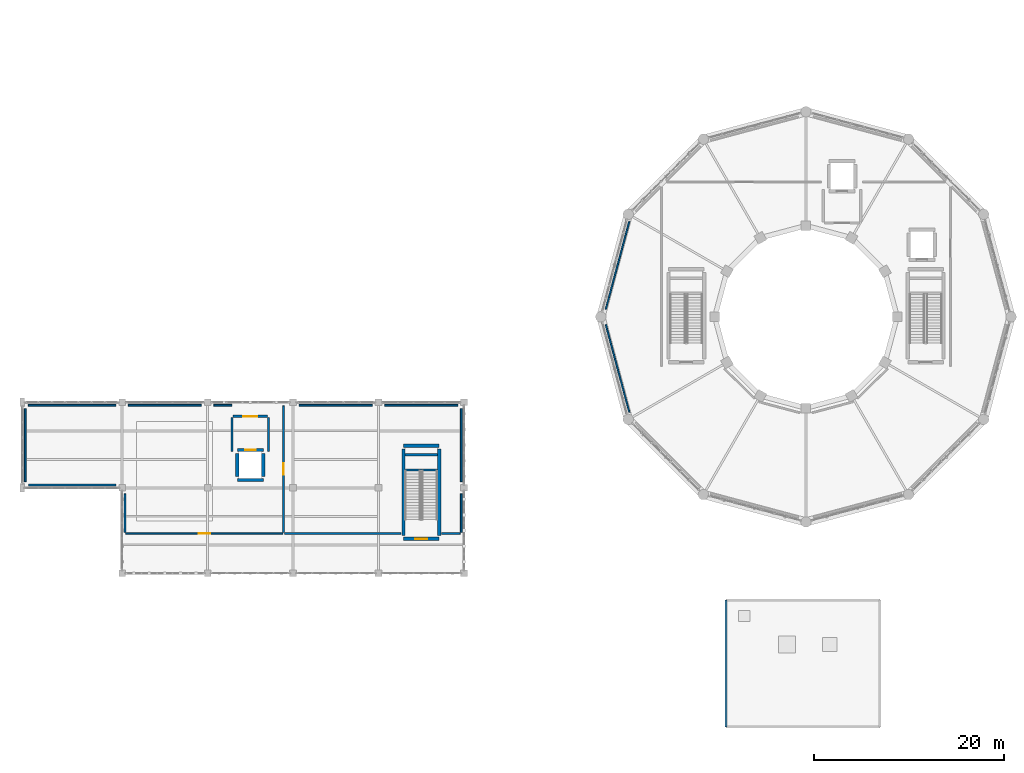
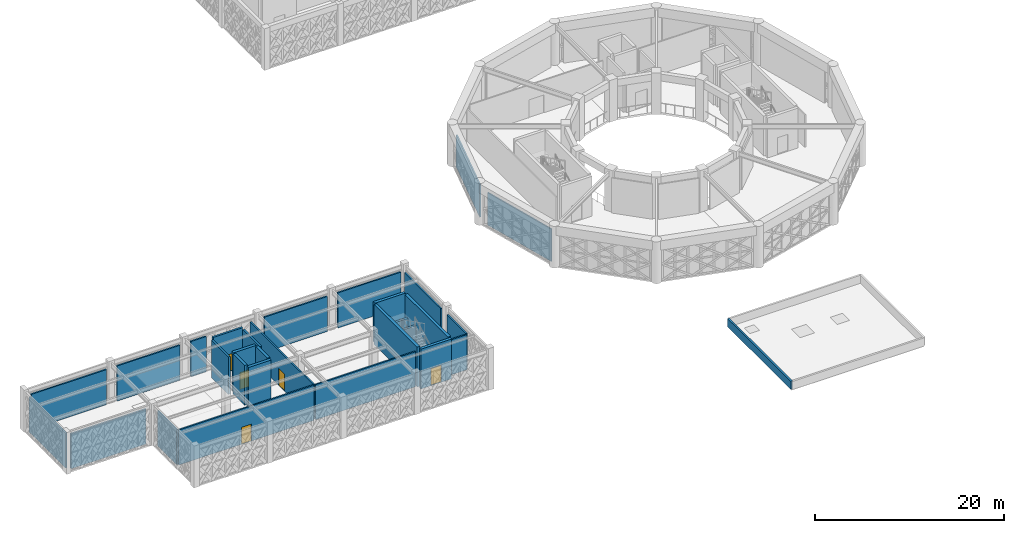
# One storey, part 64 of 72: 30 walls, 5 doors, 5 openings.
"""IFC4 building model written with IfcOpenShell, lengths in metres."""

from ifc_helpers import new_model, si_unit, direction, frame, frame_2d, origin, place, context, subcontext, project, spatial, rectangle, extrude, material, layer, layer_set, type_object, element, fill, save


model = new_model("IFC4")

# Units and contexts
model_context = context("Model", 3, precision=1e-05, world=origin(), true_north=direction((0.0, 1.0)))
body_context = subcontext(model_context, "Body", "Model", "MODEL_VIEW")
ifc_project = project(units=[si_unit("LENGTHUNIT", "METRE"), si_unit("AREAUNIT", "SQUARE_METRE"), si_unit("VOLUMEUNIT", "CUBIC_METRE"), si_unit("PLANEANGLEUNIT", "RADIAN"), si_unit("MASSUNIT", "GRAM", prefix="KILO")], contexts=[model_context])

# Site, building, storey
site_placement = place(None, origin())
site = spatial("IfcSite", under=ifc_project, at=site_placement, CompositionType="ELEMENT")
building_placement = place(site_placement, origin())
building = spatial("IfcBuilding", under=site, at=building_placement, Name="Haizhuo Lancet Aquarium", CompositionType="ELEMENT")
storey_placement = place(building_placement, frame((0.0, 0.0, 21.60009765625)))
storey = spatial("IfcBuildingStorey", under=building, at=storey_placement, Name="L04", CompositionType="ELEMENT", Elevation=21.60009765625)

# Wall
ifc_material_1 = material(Name="Shandong Grey Limestone Ashlar", Category="masonry")
ifc_layer_1 = layer(ifc_material_1, 0.219970703125)
ifc_layer_set_1 = layer_set([ifc_layer_1], Name="Shandong Grey Limestone Ashlar")
wall_type_1 = type_object("IfcWallType", Name="EWL-PAR-220", PredefinedType="PARAPET", material=ifc_layer_set_1)
wall_1_placement = place(storey_placement, frame((-8.39990234375, -43.199951171875, 0.0), z_axis=(0.0, 0.0, 1.0), x_axis=(0.0, 1.0, 0.0)))
element("IfcWall", 1, at=wall_1_placement, inside=storey, type_object=wall_type_1, Name="L04 V4 penthouse roof parapet 4", PredefinedType="PARAPET", context=body_context, shape_type="SweptSolid", body=[
    extrude(rectangle(XDim=13.39990234375, YDim=0.219970703125, at=frame_2d((6.699951171875, 0.0))), origin(), (0.0, 0.0, 1.0), 1.0498046875),
])

# Wall, opening, door
ifc_material_2 = material(Name="Concrete C40/50", Category="concrete")
ifc_layer_2 = layer(ifc_material_2, 0.239990234375)
ifc_layer_set_2 = layer_set([ifc_layer_2], Name="Concrete C40/50")
wall_type_2 = type_object("IfcWallType", Name="IWL-FIRE-240", PredefinedType="PARTITIONING", material=ifc_layer_set_2)
wall_2_placement = place(storey_placement, frame((-56.699951171875, -10.47998046875, 0.0), z_axis=(0.0, 0.0, 1.0), x_axis=(-1.0, 0.0, 0.0)))
wall_2 = element("IfcWall", 2, at=wall_2_placement, inside=storey, type_object=wall_type_2, Name="L04 LF-03 firefighting lift lobby firewall N", PredefinedType="PARTITIONING", context=body_context, shape_type="SweptSolid", body=[
    extrude(rectangle(XDim=3.60009765625, YDim=0.239990234375, at=frame_2d((1.800048828125, 0.0))), origin(), (0.0, 0.0, 1.0), 5.099853515625),
])
opening_1_placement = place(wall_2_placement, frame((1.050048828125, 0.0, 0.0)))
opening_1 = element("IfcOpeningElement", 3, at=opening_1_placement, cuts=wall_2, Name="Opening FD-03", PredefinedType="OPENING", context=body_context, shape_type="SweptSolid", body=[
    extrude(rectangle(XDim=1.5, YDim=2.199951171875, at=frame_2d((0.75, 1.10009765625))), frame((0.0, 0.1298828125, 0.0), z_axis=(0.0, -1.0, 0.0), x_axis=(1.0, 0.0, 0.0)), (0.0, 0.0, 1.0), 0.25999),
])
ifc_material_3 = material(Name="Steel S355", Category="steel")
door_type_1 = type_object("IfcDoorType", Name="IDR-FFL-1500x2200", OperationType="NOTDEFINED", PredefinedType="DOOR", material=ifc_material_3)
door_1_placement = place(opening_1_placement, origin())
door_1 = element("IfcDoor", 4, at=door_1_placement, inside=storey, type_object=door_type_1, Name="L04 LF-03 firefighting lift lobby door", OperationType="SINGLE_SWING_RIGHT", OverallHeight=2.199951171875, OverallWidth=1.5, PredefinedType="DOOR", context=body_context, shape_type="SweptSolid", body=[
    extrude(rectangle(XDim=1.5, YDim=2.199951171875, at=frame_2d((0.75, 1.10009765625))), frame((0.0, 0.02490234375, 0.0), z_axis=(0.0, -1.0, 0.0), x_axis=(1.0, 0.0, 0.0)), (0.0, 0.0, 1.0), 0.050048828125),
])
fill(opening_1, door_1)

# Walls
for number, where, z_axis, x_axis, name in (
    (5, (-60.419921875, -14.199951171875, 0.0), (0.0, 0.0, 1.0), (0.0, 1.0, 0.0), "L04 LF-03 firefighting lift lobby firewall W"),
    (6, (-56.580078125, -14.199951171875, 0.0), (0.0, 0.0, 1.0), (0.0, 1.0, 0.0), "L04 LF-03 firefighting lift lobby firewall E"),
):
    element("IfcWall", number, at=place(storey_placement, frame(where, z_axis=z_axis, x_axis=x_axis)), inside=storey, type_object=wall_type_2, Name=name, PredefinedType="PARTITIONING", context=body_context, shape_type="SweptSolid", body=[
        extrude(rectangle(XDim=3.599853515625, YDim=0.239990234375, at=frame_2d((1.7998046875, 0.0))), origin(), (0.0, 0.0, 1.0), 4.8349609375),
    ])
ifc_layer_3 = layer(ifc_material_2, 0.179931640625)
ifc_layer_set_3 = layer_set([ifc_layer_3], Name="Concrete C40/50")
wall_type_3 = type_object("IfcWallType", Name="IWL-LAB-180", PredefinedType="PARTITIONING", material=ifc_layer_set_3)
wall_3_placement = place(storey_placement, frame((-81.85009765625, -17.699951171875, 0.0), z_axis=(0.0, 0.0, 1.0), x_axis=(1.0, 0.0, 0.0)))
element("IfcWall", 7, at=wall_3_placement, inside=storey, type_object=wall_type_3, Name="L04 partition wall 560", PredefinedType="PARTITIONING", context=body_context, shape_type="SweptSolid", body=[
    extrude(rectangle(XDim=9.2001953125, YDim=0.179931640625, at=frame_2d((4.60009765625, 0.0))), origin(), (0.0, 0.0, 1.0), 4.534912109375),
])
wall_4_placement = place(storey_placement, frame((-71.699951171875, -18.64990234375, 0.0), z_axis=(0.0, 0.0, 1.0), x_axis=(0.0, -1.0, 0.0)))
element("IfcWall", 8, at=wall_4_placement, inside=storey, type_object=wall_type_3, Name="L04 partition wall 561", PredefinedType="PARTITIONING", context=body_context, shape_type="SweptSolid", body=[
    extrude(rectangle(XDim=4.050048828125, YDim=0.179931640625, at=frame_2d((2.02490234375, 0.0))), origin(), (0.0, 0.0, 1.0), 4.534912109375),
])

# Wall, opening, door
wall_5_placement = place(storey_placement, frame((-71.6201171875, -22.798095703125, 0.0), z_axis=(0.0, 0.0, 1.0), x_axis=(0.999999991186, 0.000132772736, 0.0)))
wall_5 = element("IfcWall", 9, at=wall_5_placement, inside=storey, type_object=wall_type_3, Name="L04 partition wall 562", PredefinedType="PARTITIONING", context=body_context, shape_type="SweptSolid", body=[
    extrude(rectangle(XDim=16.549072265625, YDim=0.179931640625, at=frame_2d((8.2744140625, 0.0))), origin(), (0.0, 0.0, 1.0), 4.534912109375),
])
opening_2_placement = place(wall_5_placement, frame((7.675048828125, 0.0, 0.0)))
opening_2 = element("IfcOpeningElement", 10, at=opening_2_placement, cuts=wall_5, Name="Opening D-04", PredefinedType="OPENING", context=body_context, shape_type="SweptSolid", body=[
    extrude(rectangle(XDim=1.199951171875, YDim=2.199951171875, at=frame_2d((0.60009765625, 1.10009765625))), frame((0.0, 0.099853515625, 0.0), z_axis=(0.0, -1.0, 0.0), x_axis=(1.0, 0.0, 0.0)), (0.0, 0.0, 1.0), 0.199932),
])
door_type_2 = type_object("IfcDoorType", Name="IDR-LAB-1200x2200", OperationType="NOTDEFINED", PredefinedType="DOOR", material=ifc_material_3)
door_2_placement = place(opening_2_placement, origin())
door_2 = element("IfcDoor", 11, at=door_2_placement, inside=storey, type_object=door_type_2, Name="L04 Marine Ecology Research Laboratory door", OperationType="SINGLE_SWING_LEFT", OverallHeight=2.199951171875, OverallWidth=1.199951171875, PredefinedType="DOOR", context=body_context, shape_type="SweptSolid", body=[
    extrude(rectangle(XDim=1.199951171875, YDim=2.199951171875, at=frame_2d((0.60009765625, 1.10009765625))), frame((0.0, 0.02490234375, 0.0), z_axis=(0.0, -1.0, 0.0), x_axis=(1.0, 0.0, 0.0)), (0.0, 0.0, 1.0), 0.050048828125),
])
fill(opening_2, door_2)

wall_6_placement = place(storey_placement, frame((-55.0, -22.699951171875, 0.0), z_axis=(0.0, 0.0, 1.0), x_axis=(-0.000293067118, 0.999999957056, 0.0)))
wall_6 = element("IfcWall", 12, at=wall_6_placement, inside=storey, type_object=wall_type_3, Name="L04 partition wall 563", PredefinedType="PARTITIONING", context=body_context, shape_type="SweptSolid", body=[
    extrude(rectangle(XDim=13.328857421875, YDim=0.179931640625, at=frame_2d((6.66455078125, 0.0))), origin(), (0.0, 0.0, 1.0), 4.534912109375),
])
opening_3_placement = place(wall_6_placement, frame((6.06494140625, 0.0, 0.0)))
opening_3 = element("IfcOpeningElement", 13, at=opening_3_placement, cuts=wall_6, Name="Opening D-04", PredefinedType="OPENING", context=body_context, shape_type="SweptSolid", body=[
    extrude(rectangle(XDim=1.199951171875, YDim=2.199951171875, at=frame_2d((0.60009765625, 1.10009765625))), frame((0.0, 0.099853515625, 0.0), z_axis=(0.0, -1.0, 0.0), x_axis=(1.0, 0.0, 0.0)), (0.0, 0.0, 1.0), 0.199932),
])
door_3_placement = place(opening_3_placement, origin())
door_3 = element("IfcDoor", 14, at=door_3_placement, inside=storey, type_object=door_type_2, Name="L04 Taxonomy Specimen Archive door", OperationType="SINGLE_SWING_RIGHT", OverallHeight=2.199951171875, OverallWidth=1.199951171875, PredefinedType="DOOR", context=body_context, shape_type="SweptSolid", body=[
    extrude(rectangle(XDim=1.199951171875, YDim=2.199951171875, at=frame_2d((0.60009765625, 1.10009765625))), frame((0.0, 0.02490234375, 0.0), z_axis=(0.0, -1.0, 0.0), x_axis=(1.0, 0.0, 0.0)), (0.0, 0.0, 1.0), 0.050048828125),
])
fill(opening_3, door_3)

# Walls
wall_7_placement = place(storey_placement, frame((-60.449951171875, -9.300048828125, 0.0), z_axis=(0.0, 0.0, 1.0), x_axis=(-1.0, 0.0, 0.0)))
element("IfcWall", 15, at=wall_7_placement, inside=storey, type_object=wall_type_3, Name="L04 partition wall 564", PredefinedType="PARTITIONING", context=body_context, shape_type="SweptSolid", body=[
    extrude(rectangle(XDim=1.900146484375, YDim=0.179931640625, at=frame_2d((0.9501953125, 0.0))), origin(), (0.0, 0.0, 1.0), 4.534912109375),
])
wall_8_placement = place(storey_placement, frame((-63.64990234375, -9.300048828125, 0.0), z_axis=(0.0, 0.0, 1.0), x_axis=(-1.0, 0.0, 0.0)))
element("IfcWall", 16, at=wall_8_placement, inside=storey, type_object=wall_type_3, Name="L04 partition wall 565", PredefinedType="PARTITIONING", context=body_context, shape_type="SweptSolid", body=[
    extrude(rectangle(XDim=7.7001953125, YDim=0.179931640625, at=frame_2d((3.85009765625, 0.0))), origin(), (0.0, 0.0, 1.0), 4.534912109375),
])
wall_9_placement = place(storey_placement, frame((-72.64990234375, -9.300048828125, 0.0), z_axis=(0.0, 0.0, 1.0), x_axis=(-0.99999991006, -0.000424121897, 0.0)))
element("IfcWall", 17, at=wall_9_placement, inside=storey, type_object=wall_type_3, Name="L04 partition wall 566", PredefinedType="PARTITIONING", context=body_context, shape_type="SweptSolid", body=[
    extrude(rectangle(XDim=9.210205078125, YDim=0.179931640625, at=frame_2d((4.60498046875, 0.0))), origin(), (0.0, 0.0, 1.0), 4.534912109375),
])
wall_10_placement = place(storey_placement, frame((-82.199951171875, -9.64990234375, 0.0), z_axis=(0.0, 0.0, 1.0), x_axis=(0.0, -1.0, 0.0)))
element("IfcWall", 18, at=wall_10_placement, inside=storey, type_object=wall_type_3, Name="L04 partition wall 567", PredefinedType="PARTITIONING", context=body_context, shape_type="SweptSolid", body=[
    extrude(rectangle(XDim=7.7001953125, YDim=0.179931640625, at=frame_2d((3.85009765625, 0.0))), origin(), (0.0, 0.0, 1.0), 4.534912109375),
])
wall_11_placement = place(storey_placement, frame((-54.89990234375, -22.800048828125, 0.0), z_axis=(0.0, 0.0, 1.0), x_axis=(1.0, 0.0, 0.0)))
element("IfcWall", 19, at=wall_11_placement, inside=storey, type_object=wall_type_3, Name="L04 partition wall 568", PredefinedType="PARTITIONING", context=body_context, shape_type="SweptSolid", body=[
    extrude(rectangle(XDim=12.25, YDim=0.179931640625, at=frame_2d((6.125, 0.0))), origin(), (0.0, 0.0, 1.0), 4.534912109375),
])
wall_12_placement = place(storey_placement, frame((-38.35009765625, -22.800048828125, 0.0), z_axis=(0.0, 0.0, 1.0), x_axis=(1.0, 0.0, 0.0)))
element("IfcWall", 20, at=wall_12_placement, inside=storey, type_object=wall_type_3, Name="L04 partition wall 569", PredefinedType="PARTITIONING", context=body_context, shape_type="SweptSolid", body=[
    extrude(rectangle(XDim=1.9501953125, YDim=0.179931640625, at=frame_2d((0.97509765625, 0.0))), origin(), (0.0, 0.0, 1.0), 4.534912109375),
])
wall_13_placement = place(storey_placement, frame((-36.300048828125, -22.699951171875, 0.0), z_axis=(0.0, 0.0, 1.0), x_axis=(0.0, 1.0, 0.0)))
element("IfcWall", 21, at=wall_13_placement, inside=storey, type_object=wall_type_3, Name="L04 partition wall 570", PredefinedType="PARTITIONING", context=body_context, shape_type="SweptSolid", body=[
    extrude(rectangle(XDim=4.050048828125, YDim=0.179931640625, at=frame_2d((2.02490234375, 0.0))), origin(), (0.0, 0.0, 1.0), 4.534912109375),
])
for number, where, z_axis, x_axis, name in (
    (22, (-36.300048828125, -17.35009765625, 0.0), (0.0, 0.0, 1.0), (0.0, 1.0, 0.0), "L04 partition wall 571"),
    (23, (-36.64990234375, -9.300048828125, 0.0), (0.0, 0.0, 1.0), (-1.0, 0.0, 0.0), "L04 partition wall 572"),
    (24, (-45.64990234375, -9.300048828125, 0.0), (0.0, 0.0, 1.0), (-1.0, 0.0, 0.0), "L04 partition wall 573"),
):
    element("IfcWall", number, at=place(storey_placement, frame(where, z_axis=z_axis, x_axis=x_axis)), inside=storey, type_object=wall_type_3, Name=name, PredefinedType="PARTITIONING", context=body_context, shape_type="SweptSolid", body=[
        extrude(rectangle(XDim=7.7001953125, YDim=0.179931640625, at=frame_2d((3.85009765625, 0.0))), origin(), (0.0, 0.0, 1.0), 4.534912109375),
    ])
ifc_material_4 = material(Name="Gypsum Fireboard Partition")
ifc_layer_4 = layer(ifc_material_4, 0.14990234375)
ifc_layer_set_4 = layer_set([ifc_layer_4], Name="Gypsum Fireboard Partition")
wall_type_4 = type_object("IfcWallType", Name="IWL-STD-150", PredefinedType="PARTITIONING", material=ifc_layer_set_4)
wall_14_placement = place(storey_placement, frame((-21.072998046875, -0.805908203125, 0.0), z_axis=(0.0, 0.0, 1.0), x_axis=(0.259280198702, -0.965802142554, 0.0)))
element("IfcWall", 25, at=wall_14_placement, inside=storey, type_object=wall_type_4, Name="L04 partition wall 522", PredefinedType="PARTITIONING", context=body_context, shape_type="SweptSolid", body=[
    extrude(rectangle(XDim=9.56103515625, YDim=0.14990234375, at=frame_2d((4.780517578125, 0.0))), origin(), (0.0, 0.0, 1.0), 4.184814453125),
])
wall_15_placement = place(storey_placement, frame((-18.597900390625, 10.0400390625, 0.0), z_axis=(0.0, 0.0, 1.0), x_axis=(-0.258923095589, -0.965897940038, 0.0)))
element("IfcWall", 26, at=wall_15_placement, inside=storey, type_object=wall_type_4, Name="L04 partition wall 537", PredefinedType="PARTITIONING", context=body_context, shape_type="SweptSolid", body=[
    extrude(rectangle(XDim=9.570556640625, YDim=0.14990234375, at=frame_2d((4.78515625, 0.0))), origin(), (0.0, 0.0, 1.0), 4.184814453125),
])
ifc_layer_5 = layer(ifc_material_2, 0.35009765625)
ifc_layer_set_5 = layer_set([ifc_layer_5], Name="Concrete C40/50")
wall_type_5 = type_object("IfcWallType", Name="WL-CORE-350", PredefinedType="SHEAR", material=ifc_layer_set_5)
for number, where, z_axis, x_axis, name in (
    (27, (-42.199951171875, -16.125, 0.0), (0.0, 0.0, 1.0), (1.0, 0.0, 0.0), "L04 ST-09 landing support wall"),
    (28, (-42.199951171875, -14.52490234375, 0.0), (0.0, 0.0, 1.0), (1.0, 0.0, 0.0), "L04 ST-09 far landing support wall"),
):
    element("IfcWall", number, at=place(storey_placement, frame(where, z_axis=z_axis, x_axis=x_axis)), inside=storey, type_object=wall_type_5, Name=name, PredefinedType="SHEAR", context=body_context, shape_type="SweptSolid", body=[
        extrude(rectangle(XDim=3.39990234375, YDim=0.25, at=frame_2d((1.699951171875, 0.0))), origin(), (0.0, 0.0, 1.0), 2.5),
    ])

# Wall, opening, door
wall_16_placement = place(storey_placement, frame((-42.375, -23.375, 0.0), z_axis=(0.0, 0.0, 1.0), x_axis=(1.0, 0.0, 0.0)))
wall_16 = element("IfcWall", 29, at=wall_16_placement, inside=storey, type_object=wall_type_5, Name="L04 ST-09 core shear wall S", PredefinedType="SHEAR", context=body_context, shape_type="SweptSolid", body=[
    extrude(rectangle(XDim=3.75, YDim=0.35009765625, at=frame_2d((1.875, 0.0))), origin(), (0.0, 0.0, 1.0), 5.14990234375),
])
opening_4_placement = place(wall_16_placement, frame((1.22509765625, 0.0, 0.0)))
opening_4 = element("IfcOpeningElement", 30, at=opening_4_placement, cuts=wall_16, Name="Opening FD-02", PredefinedType="OPENING", context=body_context, shape_type="SweptSolid", body=[
    extrude(rectangle(XDim=1.300048828125, YDim=2.199951171875, at=frame_2d((0.64990234375, 1.10009765625))), frame((0.0, 0.18505859375, 0.0), z_axis=(0.0, -1.0, 0.0), x_axis=(1.0, 0.0, 0.0)), (0.0, 0.0, 1.0), 0.370098),
])
door_type_3 = type_object("IfcDoorType", Name="IDR-STAIR-1300x2200", OperationType="NOTDEFINED", PredefinedType="DOOR", material=ifc_material_3)
door_4_placement = place(opening_4_placement, origin())
door_4 = element("IfcDoor", 31, at=door_4_placement, inside=storey, type_object=door_type_3, Name="L04 ST-09 stairwell fire door", OperationType="SINGLE_SWING_RIGHT", OverallHeight=2.199951171875, OverallWidth=1.300048828125, PredefinedType="DOOR", context=body_context, shape_type="SweptSolid", body=[
    extrude(rectangle(XDim=1.300048828125, YDim=2.199951171875, at=frame_2d((0.64990234375, 1.10009765625))), frame((0.0, 0.02490234375, 0.0), z_axis=(0.0, -1.0, 0.0), x_axis=(1.0, 0.0, 0.0)), (0.0, 0.0, 1.0), 0.050048828125),
])
fill(opening_4, door_4)

# Walls
wall_17_placement = place(storey_placement, frame((-42.375, -13.574951171875, 0.0), z_axis=(0.0, 0.0, 1.0), x_axis=(1.0, 0.0, 0.0)))
element("IfcWall", 32, at=wall_17_placement, inside=storey, type_object=wall_type_5, Name="L04 ST-09 core shear wall N", PredefinedType="SHEAR", context=body_context, shape_type="SweptSolid", body=[
    extrude(rectangle(XDim=3.75, YDim=0.35009765625, at=frame_2d((1.875, 0.0))), origin(), (0.0, 0.0, 1.0), 5.14990234375),
])
for number, where, z_axis, x_axis, name in (
    (33, (-42.375, -23.02490234375, 0.0), (0.0, 0.0, 1.0), (0.0, 1.0, 0.0), "L04 ST-09 core shear wall W"),
    (34, (-38.625, -23.02490234375, 0.0), (0.0, 0.0, 1.0), (0.0, 1.0, 0.0), "L04 ST-09 core shear wall E"),
):
    element("IfcWall", number, at=place(storey_placement, frame(where, z_axis=z_axis, x_axis=x_axis)), inside=storey, type_object=wall_type_5, Name=name, PredefinedType="SHEAR", context=body_context, shape_type="SweptSolid", body=[
        extrude(rectangle(XDim=9.099853515625, YDim=0.35009765625, at=frame_2d((4.5498046875, 0.0))), origin(), (0.0, 0.0, 1.0), 5.14990234375),
    ])
wall_18_placement = place(storey_placement, frame((-59.875, -17.175048828125, 0.0), z_axis=(0.0, 0.0, 1.0), x_axis=(1.0, 0.0, 0.0)))
element("IfcWall", 35, at=wall_18_placement, inside=storey, type_object=wall_type_5, Name="L04 LF-03 lift shaft wall -Y", PredefinedType="SHEAR", context=body_context, shape_type="SweptSolid", body=[
    extrude(rectangle(XDim=2.75, YDim=0.35009765625, at=frame_2d((1.375, 0.0))), origin(), (0.0, 0.0, 1.0), 5.14990234375),
])

# Wall, opening, door
wall_19_placement = place(storey_placement, frame((-57.125, -14.02490234375, 0.0), z_axis=(0.0, 0.0, 1.0), x_axis=(-1.0, 0.0, 0.0)))
wall_19 = element("IfcWall", 36, at=wall_19_placement, inside=storey, type_object=wall_type_5, Name="L04 LF-03 lift shaft wall +Y", PredefinedType="SHEAR", context=body_context, shape_type="SweptSolid", body=[
    extrude(rectangle(XDim=2.75, YDim=0.35009765625, at=frame_2d((1.375, 0.0))), origin(), (0.0, 0.0, 1.0), 5.14990234375),
])
opening_5_placement = place(wall_19_placement, frame((0.824951171875, 0.0, 0.0)))
opening_5 = element("IfcOpeningElement", 37, at=opening_5_placement, cuts=wall_19, Name="Opening LD-01", PredefinedType="OPENING", context=body_context, shape_type="SweptSolid", body=[
    extrude(rectangle(XDim=1.10009765625, YDim=2.199951171875, at=frame_2d((0.550048828125, 1.10009765625))), frame((0.0, 0.18505859375, 0.0), z_axis=(0.0, -1.0, 0.0), x_axis=(1.0, 0.0, 0.0)), (0.0, 0.0, 1.0), 0.370098),
])
door_type_4 = type_object("IfcDoorType", Name="IDR-LIFT-1100x2200", OperationType="NOTDEFINED", PredefinedType="DOOR", material=ifc_material_3)
door_5_placement = place(opening_5_placement, origin())
door_5 = element("IfcDoor", 38, at=door_5_placement, inside=storey, type_object=door_type_4, Name="L04 LF-03 sliding lift landing door", OperationType="DOUBLE_DOOR_SLIDING", OverallHeight=2.199951171875, OverallWidth=1.10009765625, PredefinedType="DOOR", context=body_context, shape_type="SweptSolid", body=[
    extrude(rectangle(XDim=1.10009765625, YDim=2.199951171875, at=frame_2d((0.550048828125, 1.10009765625))), frame((0.0, 0.02490234375, 0.0), z_axis=(0.0, -1.0, 0.0), x_axis=(1.0, 0.0, 0.0)), (0.0, 0.0, 1.0), 0.050048828125),
])
fill(opening_5, door_5)

# Walls
for number, where, z_axis, x_axis, name in (
    (39, (-59.875, -16.824951171875, 0.0), (0.0, 0.0, 1.0), (0.0, 1.0, 0.0), "L04 LF-03 lift shaft wall -X"),
    (40, (-57.125, -16.824951171875, 0.0), (0.0, 0.0, 1.0), (0.0, 1.0, 0.0), "L04 LF-03 lift shaft wall +X"),
):
    element("IfcWall", number, at=place(storey_placement, frame(where, z_axis=z_axis, x_axis=x_axis)), inside=storey, type_object=wall_type_5, Name=name, PredefinedType="SHEAR", context=body_context, shape_type="SweptSolid", body=[
        extrude(rectangle(XDim=2.449951171875, YDim=0.35009765625, at=frame_2d((1.22509765625, 0.0))), origin(), (0.0, 0.0, 1.0), 5.14990234375),
    ])

save(model, "model.ifc")
